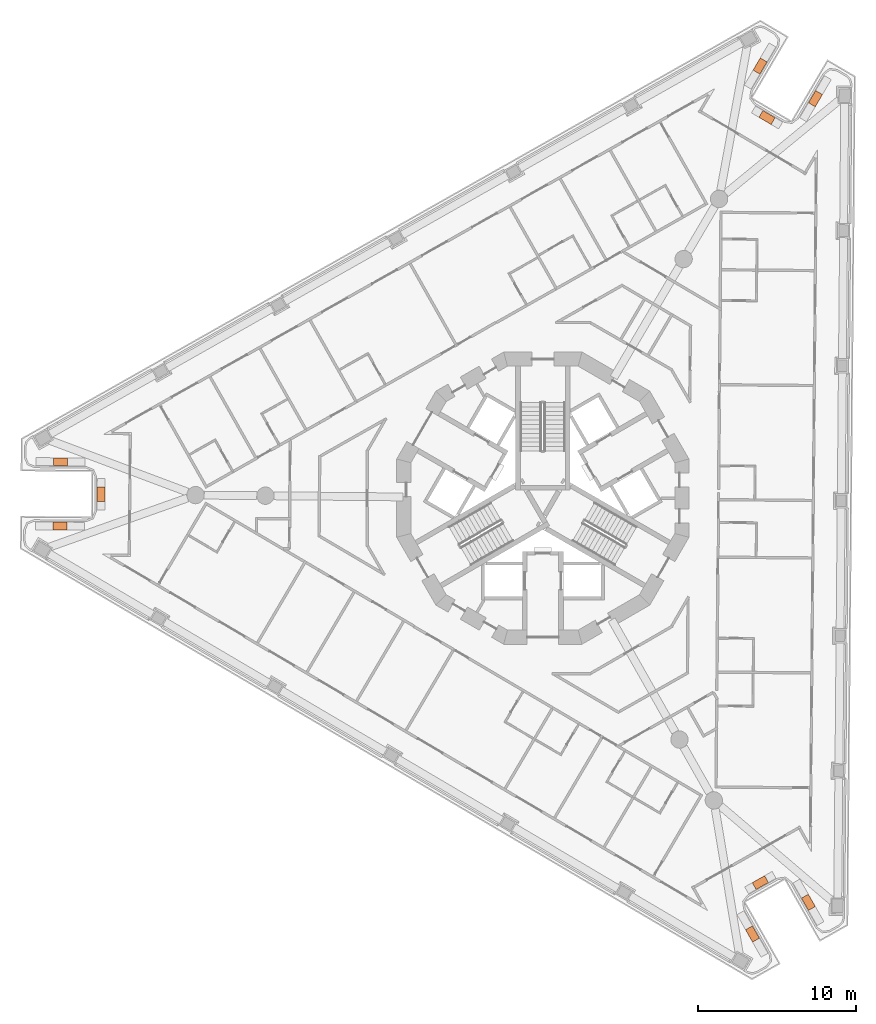
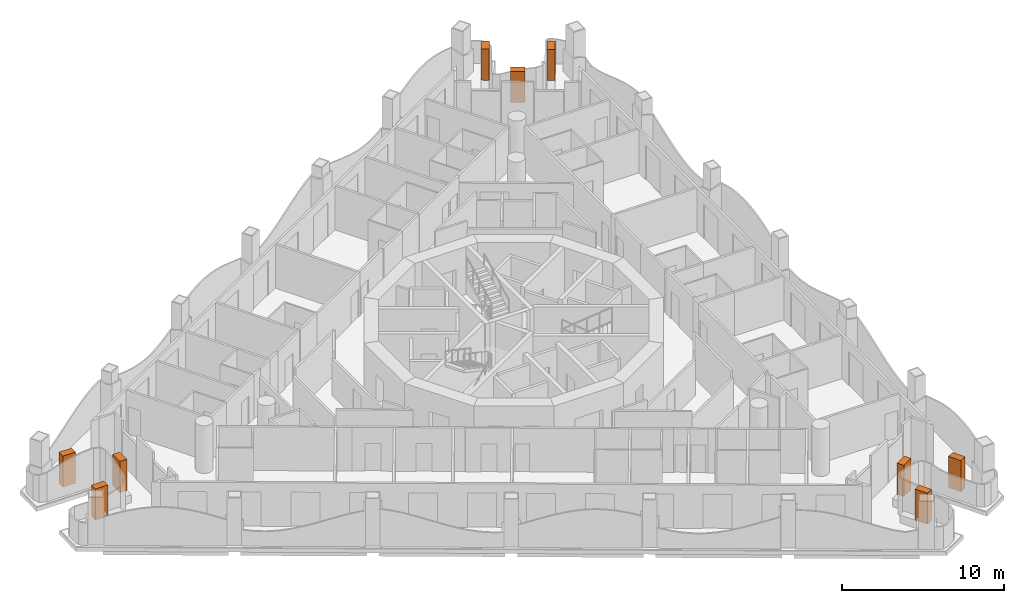
# One storey, part 17 of 17: 9 geographic elements.
"""IFC4 building model written with IfcOpenShell, lengths in metres."""

from ifc_helpers import new_model, si_unit, direction, frame, origin, origin_2d, place, context, subcontext, project, spatial, rectangle, extrude, element, save


model = new_model("IFC4")

# Units and contexts
model_context = context("Model", 3, precision=1e-05, world=origin(), true_north=direction((0.0, 1.0)))
body_context = subcontext(model_context, "Body", "Model", "MODEL_VIEW")
ifc_project = project(units=[si_unit("LENGTHUNIT", "METRE"), si_unit("AREAUNIT", "SQUARE_METRE"), si_unit("VOLUMEUNIT", "CUBIC_METRE"), si_unit("PLANEANGLEUNIT", "RADIAN"), si_unit("MASSUNIT", "GRAM", prefix="KILO")], contexts=[model_context])

# Site, building, storey
site_placement = place(None, origin())
site = spatial("IfcSite", under=ifc_project, at=site_placement, CompositionType="ELEMENT")
building_placement = place(site_placement, origin())
building = spatial("IfcBuilding", under=site, at=building_placement, Name="Trine Commons Tower", CompositionType="ELEMENT")
storey_placement = place(building_placement, frame((0.0, 0.0, 182.699951171875)))
storey = spatial("IfcBuildingStorey", under=building, at=storey_placement, Name="L47", CompositionType="ELEMENT", Elevation=182.699951171875)

# Geographic elements
for number, where, z_axis, x_axis, name in (
    (1, (49.3583984375, 60.727294921875, 0.60009765625), (0.0, 0.0, 1.0), (0.999961923064, -0.008726535498, 0.0), "Tree 1.1"),
    (2, (51.966064453125, 62.74462890625, 0.60009765625), (0.0, 0.0, 1.0), (0.008726535498, 0.999961923064, 0.0), "Tree 2.1"),
    (3, (49.393798828125, 64.80712890625, 0.60009765625), (0.0, 0.0, 1.0), (-0.999961923064, 0.008726535498, 0.0), "Tree 3.1"),
    (4, (93.78564453125, 89.9228515625, 0.60009765625), (0.0, 0.0, 1.0), (-0.507539866787, -0.861628274619, 0.0), "Tree 4.1"),
    (5, (94.228759765625, 86.65576171875, 0.60009765625), (0.0, 0.0, 1.0), (0.861628274619, -0.507539866787, 0.0), "Tree 5.1"),
    (6, (97.301025390625, 87.85205078125, 0.60009765625), (0.0, 0.0, 1.0), (0.507539866787, 0.861628274619, 0.0), "Tree 6.1"),
    (7, (96.85595703125, 36.849853515625, 0.60009765625), (0.0, 0.0, 1.0), (-0.492420521986, 0.870357414817, 0.0), "Tree 7.1"),
    (8, (93.80517578125, 38.099609375, 0.60009765625), (0.0, 0.0, 1.0), (-0.870333349571, -0.492463055085, 0.0), "Tree 8.1"),
    (9, (93.304931640625, 34.8408203125, 0.60009765625), (0.0, 0.0, 1.0), (0.492420521986, -0.870357414817, 0.0), "Tree 9.1"),
):
    element("IfcGeographicElement", number, at=place(storey_placement, frame(where, z_axis=z_axis, x_axis=x_axis)), inside=storey, Name=name, ObjectType="TREE Tabebuia rosea", PredefinedType="USERDEFINED", context=body_context, shape_type="SweptSolid", body=[
        extrude(rectangle(XDim=0.89990234375, YDim=0.5, at=origin_2d()), origin(), (0.0, 0.0, 1.0), 2.35009765625),
    ])

save(model, "model.ifc")
